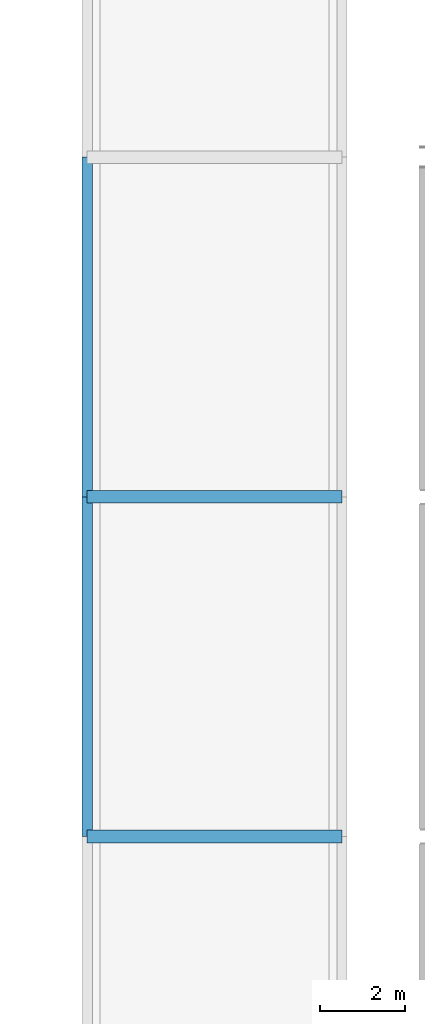
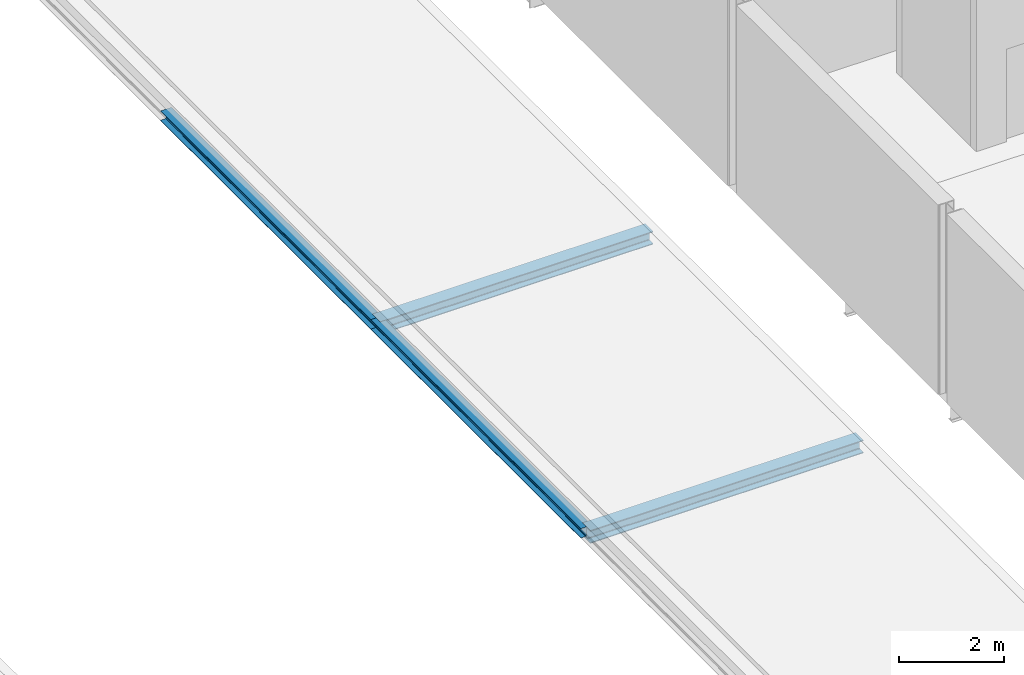
# One storey, part 74 of 153: 4 beams.
"""IFC4 building model written with IfcOpenShell, lengths in metres."""

from ifc_helpers import new_model, si_unit, derived_unit, direction, frame, origin, origin_2d, place, context, subcontext, project, spatial, i_section, extrude, material, material_profile, profile_set, type_object, element, save


model = new_model("IFC4")

# Units and contexts
model_context = context("Model", 3, precision=1e-05, world=origin(), true_north=direction((0.0, 1.0)))
body_context = subcontext(model_context, "Body", "Model", "MODEL_VIEW")
ifc_project = project(units=[si_unit("LENGTHUNIT", "METRE"), si_unit("AREAUNIT", "SQUARE_METRE"), si_unit("VOLUMEUNIT", "CUBIC_METRE"), si_unit("PLANEANGLEUNIT", "RADIAN"), si_unit("MASSUNIT", "GRAM", prefix="KILO"), derived_unit("THERMALTRANSMITTANCEUNIT", [(si_unit("POWERUNIT", "WATT"), 1), (si_unit("LENGTHUNIT", "METRE"), -2), (si_unit("THERMODYNAMICTEMPERATUREUNIT", "KELVIN"), -1)])], contexts=[model_context])

# Site, building, storey
site_placement = place(None, origin())
site = spatial("IfcSite", under=ifc_project, at=site_placement, CompositionType="ELEMENT")
building_placement = place(site_placement, origin())
building = spatial("IfcBuilding", under=site, at=building_placement, Name="Keldorne Ridge Multi-Sports Centre", CompositionType="ELEMENT")
storey_placement = place(building_placement, frame((0.0, 0.0, 9.60009765625)))
storey = spatial("IfcBuildingStorey", under=building, at=storey_placement, Name="L02", CompositionType="ELEMENT", Elevation=9.60009765625)

# Beams
ifc_material = material(Name="Steel S355", Category="steel")
ifc_material_profile_1 = material_profile(ifc_material, i_section(OverallWidth=0.300048828125, OverallDepth=0.300048828125, WebThickness=0.010986328125, FlangeThickness=0.01904296875, FilletRadius=0.027099609375, at=origin_2d()), Name="HEB 300")
ifc_profile_set_1 = profile_set([ifc_material_profile_1], Name="Steel S355")
beam_type_1 = type_object("IfcBeamType", Name="BM-B-14", PredefinedType="BEAM", material=ifc_profile_set_1)
for number, where, z_axis, x_axis, name in (
    (1, (96.0, 38.0, -0.380126953125), (1.0, 0.0, 0.0), (0.0, 1.0, 0.0), "L02 east skirt roof beam 5"),
    (2, (96.0, 46.0, -0.380126953125), (1.0, 0.0, 0.0), (0.0, 1.0, 0.0), "L02 east skirt roof beam 6"),
):
    element("IfcBeam", number, at=place(storey_placement, frame(where, z_axis=z_axis, x_axis=x_axis)), inside=storey, type_object=beam_type_1, Name=name, PredefinedType="BEAM", context=body_context, shape_type="SweptSolid", body=[
        extrude(i_section(OverallWidth=0.300048828125, OverallDepth=0.300048828125, WebThickness=0.010986328125, FlangeThickness=0.01904296875, FilletRadius=0.027099609375, at=origin_2d()), origin(), (0.0, 0.0, 1.0), 6.0),
    ])
ifc_material_profile_2 = material_profile(ifc_material, i_section(OverallWidth=0.239990234375, OverallDepth=0.22998046875, WebThickness=0.007568359375, FlangeThickness=0.011962890625, FilletRadius=0.02099609375, at=origin_2d()), Name="HEA 240")
ifc_profile_set_2 = profile_set([ifc_material_profile_2], Name="Steel S355")
beam_type_2 = type_object("IfcBeamType", Name="BM-SP-05", PredefinedType="SPANDREL", material=ifc_profile_set_2)
for number, where, z_axis, x_axis, name in (
    (3, (96.0, 38.0, -0.34521484375), (0.0, 1.0, 0.0), (-1.0, 0.0, 0.0), "L02 passage roof beam G14.5"),
    (4, (96.0, 46.0, -0.34521484375), (0.0, 1.0, 0.0), (-1.0, 0.0, 0.0), "L02 passage roof beam G14.6"),
):
    element("IfcBeam", number, at=place(storey_placement, frame(where, z_axis=z_axis, x_axis=x_axis)), inside=storey, type_object=beam_type_2, Name=name, PredefinedType="SPANDREL", context=body_context, shape_type="SweptSolid", body=[
        extrude(i_section(OverallWidth=0.239990234375, OverallDepth=0.22998046875, WebThickness=0.007568359375, FlangeThickness=0.011962890625, FilletRadius=0.02099609375, at=origin_2d()), origin(), (0.0, 0.0, 1.0), 8.0),
    ])

save(model, "model.ifc")
